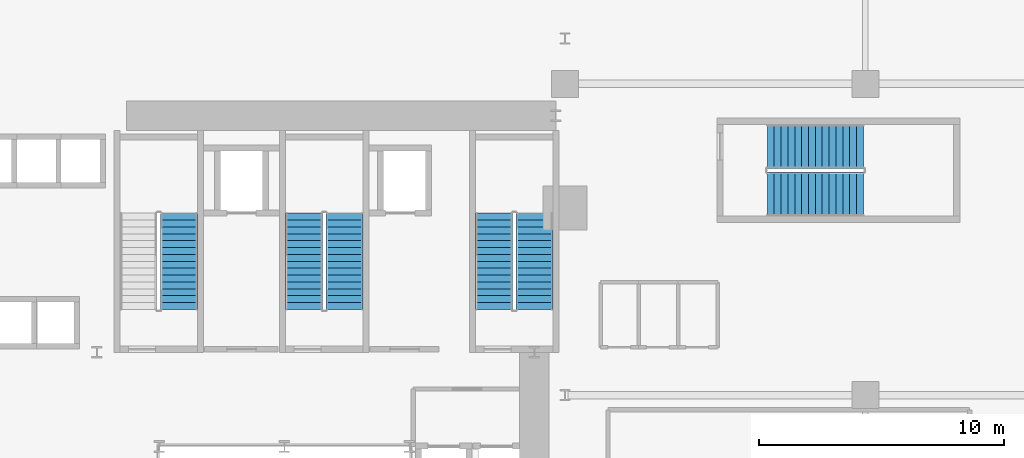
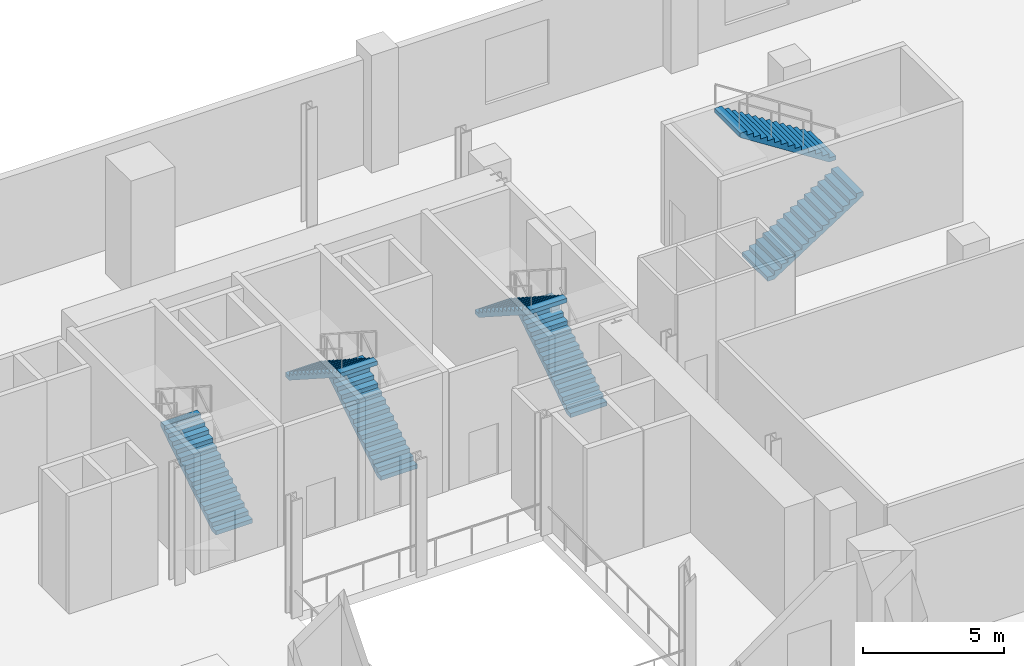
# One storey, part 9 of 12: 7 stair flights, 4 elements without a shape of their own.
"""IFC4 building model written with IfcOpenShell, lengths in metres."""

from ifc_helpers import new_model, si_unit, direction, frame, origin, place, context, subcontext, project, spatial, polyline, outline, extrude, source, transform, mapped, material, type_object, element, aggregate, save


model = new_model("IFC4")

# Units and contexts
model_context = context("Model", 3, precision=1e-05, world=origin(), true_north=direction((0.0, 1.0)))
body_context = subcontext(model_context, "Body", "Model", "MODEL_VIEW")
ifc_project = project(units=[si_unit("LENGTHUNIT", "METRE"), si_unit("AREAUNIT", "SQUARE_METRE"), si_unit("VOLUMEUNIT", "CUBIC_METRE"), si_unit("PLANEANGLEUNIT", "RADIAN"), si_unit("MASSUNIT", "GRAM", prefix="KILO")], contexts=[model_context])

# Site, building, storey
site_placement = place(None, origin())
site = spatial("IfcSite", under=ifc_project, at=site_placement, CompositionType="ELEMENT")
building_placement = place(site_placement, origin())
building = spatial("IfcBuilding", under=site, at=building_placement, Name="Vardaveli Station Tower", CompositionType="ELEMENT")
storey_placement = place(building_placement, frame((0.0, 0.0, 17.0)))
storey = spatial("IfcBuildingStorey", under=building, at=storey_placement, Name="L04", CompositionType="ELEMENT", Elevation=17.0)

# Stair, stair flight
ifc_material = material(Name="Concrete C40/50", Category="concrete")
stair_type_1 = type_object("IfcStairType", Name="STR-CORE-1500", PredefinedType="HALF_TURN_STAIR", material=ifc_material)
stair_1_placement = place(storey_placement, origin())
stair_1 = element("IfcStair", 1, at=stair_1_placement, inside=storey, type_object=stair_type_1, Name="L04 ST-1", PredefinedType="HALF_TURN_STAIR")
stair_flight_type_1 = type_object("IfcStairFlightType", Name="SFL-CORE-1500", PredefinedType="STRAIGHT", material=ifc_material)
shared_shape_1 = source(origin(), body_context, "Body", "SweptSolid", [
    extrude(outline(polyline([(0.0, 0.0), (0.0, 0.179931640625), (0.280029296875, 0.179931640625), (0.280029296875, 0.360107421875), (0.56005859375, 0.360107421875), (0.56005859375, 0.5400390625), (0.840087890625, 0.5400390625), (0.840087890625, 0.719970703125), (1.1201171875, 0.719970703125), (1.1201171875, 0.89990234375), (1.39990234375, 0.89990234375), (1.39990234375, 1.080078125), (1.679931640625, 1.080078125), (1.679931640625, 1.260009765625), (1.9599609375, 1.260009765625), (1.9599609375, 1.43994140625), (2.239990234375, 1.43994140625), (2.239990234375, 1.6201171875), (2.52001953125, 1.6201171875), (2.52001953125, 1.800048828125), (2.800048828125, 1.800048828125), (2.800048828125, 1.97998046875), (3.080078125, 1.97998046875), (3.080078125, 2.159912109375), (3.360107421875, 2.159912109375), (3.360107421875, 2.340087890625), (3.639892578125, 2.340087890625), (3.639892578125, 2.52001953125), (3.919921875, 2.52001953125), (3.919921875, 2.699951171875), (3.919921875, 2.341796875), (0.277099609375, 0.0), (0.0, 0.0)])), frame((0.0, 0.75, 0.0), z_axis=(0.0, -1.0, 0.0), x_axis=(1.0, 0.0, 0.0)), (0.0, 0.0, 1.0), 1.5),
])
stair_flight_1_placement = place(storey_placement, frame((32.0, 32.39990234375, 0.0), z_axis=(0.0, 0.0, 1.0), x_axis=(0.0, 1.0, 0.0)))
stair_flight_1 = element("IfcStairFlight", 2, at=stair_flight_1_placement, type_object=stair_flight_type_1, Name="ST-1 flight 1", NumberOfRisers=15, NumberOfTreads=14, PredefinedType="STRAIGHT", RiserHeight=0.18, TreadLength=0.28, context=body_context, shape_type="MappedRepresentation", body=[
    mapped(shared_shape_1, transform((0.0, 0.0, 0.0), scale=1.0)),
])
aggregate(stair_1, [stair_flight_1])

# Stair, stair flights
stair_2_placement = place(storey_placement, origin())
stair_2 = element("IfcStair", 3, at=stair_2_placement, inside=storey, type_object=stair_type_1, Name="L04 ST-2", PredefinedType="HALF_TURN_STAIR")
stair_flight_2_placement = place(storey_placement, frame((38.75, 32.39990234375, 0.0), z_axis=(0.0, 0.0, 1.0), x_axis=(0.0, 1.0, 0.0)))
stair_flight_2 = element("IfcStairFlight", 4, at=stair_flight_2_placement, type_object=stair_flight_type_1, Name="ST-2 flight 1", NumberOfRisers=15, NumberOfTreads=14, PredefinedType="STRAIGHT", RiserHeight=0.18, TreadLength=0.28, context=body_context, shape_type="MappedRepresentation", body=[
    mapped(shared_shape_1, transform((0.0, 0.0, 0.0), scale=1.0)),
])
stair_flight_3_placement = place(storey_placement, frame((37.10009765625, 36.320068359375, 2.699951171875), z_axis=(0.0, 0.0, 1.0), x_axis=(0.0, -1.0, 0.0)))
stair_flight_3 = element("IfcStairFlight", 5, at=stair_flight_3_placement, type_object=stair_flight_type_1, Name="ST-2 flight 2", NumberOfRisers=15, NumberOfTreads=14, PredefinedType="STRAIGHT", RiserHeight=0.18, TreadLength=0.28, context=body_context, shape_type="MappedRepresentation", body=[
    mapped(shared_shape_1, transform((0.0, 0.0, 0.0), scale=1.0)),
])
aggregate(stair_2, [stair_flight_2, stair_flight_3])

stair_3_placement = place(storey_placement, origin())
stair_3 = element("IfcStair", 6, at=stair_3_placement, inside=storey, type_object=stair_type_1, Name="L04 ST-3", PredefinedType="HALF_TURN_STAIR")
stair_flight_4_placement = place(storey_placement, frame((46.5, 32.39990234375, 0.0), z_axis=(0.0, 0.0, 1.0), x_axis=(0.0, 1.0, 0.0)))
stair_flight_4 = element("IfcStairFlight", 7, at=stair_flight_4_placement, type_object=stair_flight_type_1, Name="ST-3 flight 1", NumberOfRisers=15, NumberOfTreads=14, PredefinedType="STRAIGHT", RiserHeight=0.18, TreadLength=0.28, context=body_context, shape_type="MappedRepresentation", body=[
    mapped(shared_shape_1, transform((0.0, 0.0, 0.0), scale=1.0)),
])
stair_flight_5_placement = place(storey_placement, frame((44.85009765625, 36.320068359375, 2.699951171875), z_axis=(0.0, 0.0, 1.0), x_axis=(0.0, -1.0, 0.0)))
stair_flight_5 = element("IfcStairFlight", 8, at=stair_flight_5_placement, type_object=stair_flight_type_1, Name="ST-3 flight 2", NumberOfRisers=15, NumberOfTreads=14, PredefinedType="STRAIGHT", RiserHeight=0.18, TreadLength=0.28, context=body_context, shape_type="MappedRepresentation", body=[
    mapped(shared_shape_1, transform((0.0, 0.0, 0.0), scale=1.0)),
])
aggregate(stair_3, [stair_flight_4, stair_flight_5])

stair_type_2 = type_object("IfcStairType", Name="STR-POD-1800", PredefinedType="HALF_TURN_STAIR", material=ifc_material)
stair_4_placement = place(storey_placement, origin())
stair_4 = element("IfcStair", 9, at=stair_4_placement, inside=storey, type_object=stair_type_2, Name="L04 ST-P2", PredefinedType="HALF_TURN_STAIR")
stair_flight_type_2 = type_object("IfcStairFlightType", Name="SFL-POD-1800", PredefinedType="STRAIGHT", material=ifc_material)
shared_shape_2 = source(origin(), body_context, "Body", "SweptSolid", [
    extrude(outline(polyline([(0.0, 0.0), (0.0, 0.179931640625), (0.280029296875, 0.179931640625), (0.280029296875, 0.360107421875), (0.56005859375, 0.360107421875), (0.56005859375, 0.5400390625), (0.840087890625, 0.5400390625), (0.840087890625, 0.719970703125), (1.1201171875, 0.719970703125), (1.1201171875, 0.89990234375), (1.39990234375, 0.89990234375), (1.39990234375, 1.080078125), (1.679931640625, 1.080078125), (1.679931640625, 1.260009765625), (1.9599609375, 1.260009765625), (1.9599609375, 1.43994140625), (2.239990234375, 1.43994140625), (2.239990234375, 1.6201171875), (2.52001953125, 1.6201171875), (2.52001953125, 1.800048828125), (2.800048828125, 1.800048828125), (2.800048828125, 1.97998046875), (3.080078125, 1.97998046875), (3.080078125, 2.159912109375), (3.360107421875, 2.159912109375), (3.360107421875, 2.340087890625), (3.639892578125, 2.340087890625), (3.639892578125, 2.52001953125), (3.919921875, 2.52001953125), (3.919921875, 2.699951171875), (3.919921875, 2.341796875), (0.277099609375, 0.0), (0.0, 0.0)])), frame((0.0, 0.89990234375, 0.0), z_axis=(0.0, -1.0, 0.0), x_axis=(1.0, 0.0, 0.0)), (0.0, 0.0, 1.0), 1.800048828125),
])
stair_flight_6_placement = place(storey_placement, frame((56.0, 37.10009765625, 0.0), z_axis=(0.0, 0.0, 1.0), x_axis=(1.0, 0.0, 0.0)))
stair_flight_6 = element("IfcStairFlight", 10, at=stair_flight_6_placement, type_object=stair_flight_type_2, Name="ST-P2 flight 1", NumberOfRisers=15, NumberOfTreads=14, PredefinedType="STRAIGHT", RiserHeight=0.18, TreadLength=0.28, context=body_context, shape_type="MappedRepresentation", body=[
    mapped(shared_shape_2, transform((0.0, 0.0, 0.0), scale=1.0)),
])
stair_flight_7_placement = place(storey_placement, frame((59.919921875, 39.050048828125, 2.699951171875), z_axis=(0.0, 0.0, 1.0), x_axis=(-1.0, 0.0, 0.0)))
stair_flight_7 = element("IfcStairFlight", 11, at=stair_flight_7_placement, type_object=stair_flight_type_2, Name="ST-P2 flight 2", NumberOfRisers=15, NumberOfTreads=14, PredefinedType="STRAIGHT", RiserHeight=0.18, TreadLength=0.28, context=body_context, shape_type="MappedRepresentation", body=[
    mapped(shared_shape_2, transform((0.0, 0.0, 0.0), scale=1.0)),
])
aggregate(stair_4, [stair_flight_6, stair_flight_7])

save(model, "model.ifc")
